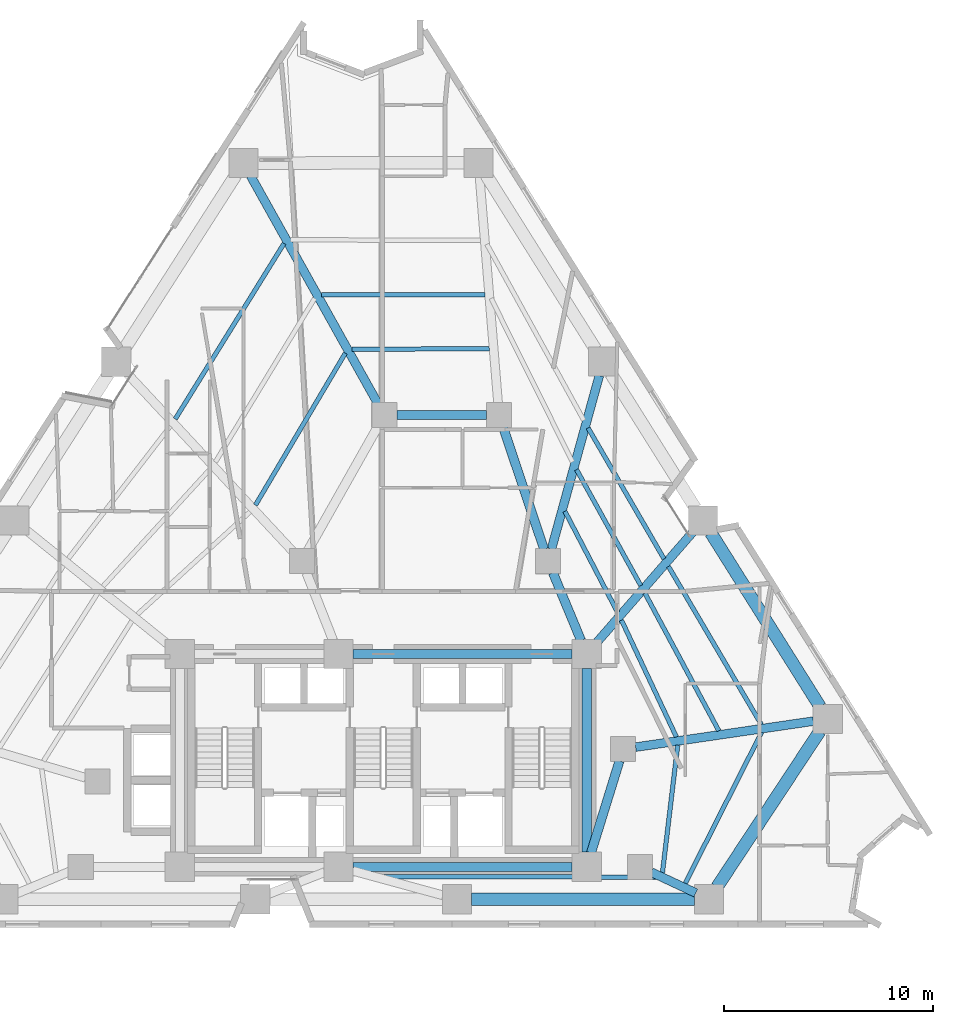
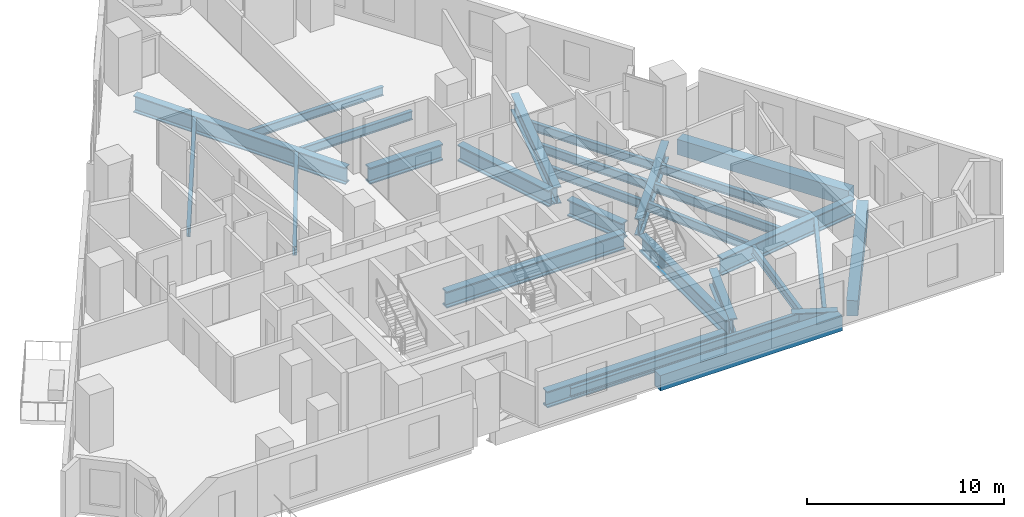
# One storey, part 3 of 14: 28 beams.
"""IFC4 building model written with IfcOpenShell, lengths in metres."""

from ifc_helpers import new_model, si_unit, direction, frame, origin, origin_2d, place, context, subcontext, project, spatial, rectangle, i_section, extrude, material, material_profile, profile_set, type_object, element, save


model = new_model("IFC4")

# Units and contexts
model_context = context("Model", 3, precision=1e-05, world=origin(), true_north=direction((0.0, 1.0)))
body_context = subcontext(model_context, "Body", "Model", "MODEL_VIEW")
ifc_project = project(units=[si_unit("LENGTHUNIT", "METRE"), si_unit("AREAUNIT", "SQUARE_METRE"), si_unit("VOLUMEUNIT", "CUBIC_METRE"), si_unit("PLANEANGLEUNIT", "RADIAN"), si_unit("MASSUNIT", "GRAM", prefix="KILO")], contexts=[model_context])

# Site, building, storey
site_placement = place(None, origin())
site = spatial("IfcSite", under=ifc_project, at=site_placement, CompositionType="ELEMENT")
building_placement = place(site_placement, origin())
building = spatial("IfcBuilding", under=site, at=building_placement, Name="Almagre Mirador Tower", CompositionType="ELEMENT")
storey_placement = place(building_placement, frame((0.0, 0.0, 67.800048828125)))
storey = spatial("IfcBuildingStorey", under=building, at=storey_placement, Name="L16", CompositionType="ELEMENT", Elevation=67.800048828125)

# Beams
ifc_material_1 = material(Name="Steel ASTM A992 Grade 50", Category="steel")
ifc_material_profile_1 = material_profile(ifc_material_1, i_section(OverallWidth=0.214111328125, OverallDepth=0.549072265625, WebThickness=0.0146484375, FlangeThickness=0.023681640625, FilletRadius=0.01806640625, at=origin_2d()), Name="W21X93")
ifc_profile_set_1 = profile_set([ifc_material_profile_1], Name="Steel ASTM A992 Grade 50")
beam_type_1 = type_object("IfcBeamType", Name="BM-JST-W21X93", PredefinedType="JOIST", material=ifc_profile_set_1)
beam_1_placement = place(storey_placement, frame((37.07421875, 4.081787109375, -0.524658203125), z_axis=(0.999998197321, -0.001898776976, 0.0), x_axis=(0.001898776976, 0.999998197321, 0.0)))
element("IfcBeam", 1, at=beam_1_placement, inside=storey, type_object=beam_type_1, Name="L16 secondary floor joist PC03-PC04.3", PredefinedType="JOIST", context=body_context, shape_type="SweptSolid", body=[
    extrude(i_section(OverallWidth=0.214111328125, OverallDepth=0.549072265625, WebThickness=0.0146484375, FlangeThickness=0.023681640625, FilletRadius=0.01806640625, at=origin_2d()), origin(), (0.0, 0.0, 1.0), 13.3720703125),
])
beam_2_placement = place(storey_placement, frame((51.77490234375, 3.763427734375, -0.524658203125), z_axis=(0.45132909199, 0.892357580079, 0.0), x_axis=(-0.892357580079, 0.45132909199, 0.0)))
element("IfcBeam", 2, at=beam_2_placement, inside=storey, type_object=beam_type_1, Name="L16 secondary floor joist PC04-PC05.1", PredefinedType="JOIST", context=body_context, shape_type="SweptSolid", body=[
    extrude(i_section(OverallWidth=0.214111328125, OverallDepth=0.549072265625, WebThickness=0.0146484375, FlangeThickness=0.023681640625, FilletRadius=0.01806640625, at=origin_2d()), origin(), (0.0, 0.0, 1.0), 8.10595703125),
])
beam_3_placement = place(storey_placement, frame((50.6806640625, 4.263916015625, -0.524658203125), z_axis=(0.119026397741, 0.99289109002, 0.0), x_axis=(-0.99289109002, 0.119026397741, 0.0)))
element("IfcBeam", 3, at=beam_3_placement, inside=storey, type_object=beam_type_1, Name="L16 secondary floor joist PC04-PC05.3", PredefinedType="JOIST", context=body_context, shape_type="SweptSolid", body=[
    extrude(i_section(OverallWidth=0.214111328125, OverallDepth=0.549072265625, WebThickness=0.0146484375, FlangeThickness=0.023681640625, FilletRadius=0.01806640625, at=origin_2d()), origin(), (0.0, 0.0, 1.0), 6.157470703125),
])
beam_4_placement = place(storey_placement, frame((55.421875, 11.364501953125, -0.524658203125), z_axis=(-0.506385486281, 0.86230721862, 0.0), x_axis=(-0.86230721862, -0.506385486281, 0.0)))
element("IfcBeam", 4, at=beam_4_placement, inside=storey, type_object=beam_type_1, Name="L16 secondary floor joist PC05-PC06.1", PredefinedType="JOIST", context=body_context, shape_type="SweptSolid", body=[
    extrude(i_section(OverallWidth=0.214111328125, OverallDepth=0.549072265625, WebThickness=0.0146484375, FlangeThickness=0.023681640625, FilletRadius=0.01806640625, at=origin_2d()), origin(), (0.0, 0.0, 1.0), 8.79443359375),
])
beam_5_placement = place(storey_placement, frame((53.384033203125, 11.0693359375, -0.524658203125), z_axis=(-0.473167442946, 0.880972514291, 0.0), x_axis=(-0.880972514291, -0.473167442946, 0.0)))
element("IfcBeam", 5, at=beam_5_placement, inside=storey, type_object=beam_type_1, Name="L16 secondary floor joist PC05-PC06.2", PredefinedType="JOIST", context=body_context, shape_type="SweptSolid", body=[
    extrude(i_section(OverallWidth=0.214111328125, OverallDepth=0.549072265625, WebThickness=0.0146484375, FlangeThickness=0.023681640625, FilletRadius=0.01806640625, at=origin_2d()), origin(), (0.0, 0.0, 1.0), 7.481689453125),
])
beam_6_placement = place(storey_placement, frame((51.34912109375, 10.775390625, -0.524658203125), z_axis=(-0.425658253991, 0.904883998538, 0.0), x_axis=(-0.904883998538, -0.425658253991, 0.0)))
element("IfcBeam", 6, at=beam_6_placement, inside=storey, type_object=beam_type_1, Name="L16 secondary floor joist PC05-PC06.3", PredefinedType="JOIST", context=body_context, shape_type="SweptSolid", body=[
    extrude(i_section(OverallWidth=0.214111328125, OverallDepth=0.549072265625, WebThickness=0.0146484375, FlangeThickness=0.023681640625, FilletRadius=0.01806640625, at=origin_2d()), origin(), (0.0, 0.0, 1.0), 6.184814453125),
])
beam_7_placement = place(storey_placement, frame((50.75732421875, 19.309814453125, -0.524658203125), z_axis=(-0.501684848086, 0.865050468586, 0.0), x_axis=(-0.865050468586, -0.501684848086, 0.0)))
element("IfcBeam", 7, at=beam_7_placement, inside=storey, type_object=beam_type_1, Name="L16 secondary floor joist PC06-PC07.1", PredefinedType="JOIST", context=body_context, shape_type="SweptSolid", body=[
    extrude(i_section(OverallWidth=0.214111328125, OverallDepth=0.549072265625, WebThickness=0.0146484375, FlangeThickness=0.023681640625, FilletRadius=0.01806640625, at=origin_2d()), origin(), (0.0, 0.0, 1.0), 7.25439453125),
])
beam_8_placement = place(storey_placement, frame((49.643310546875, 18.0283203125, -0.524658203125), z_axis=(-0.484660833116, 0.87470216465, 0.0), x_axis=(-0.87470216465, -0.484660833116, 0.0)))
element("IfcBeam", 8, at=beam_8_placement, inside=storey, type_object=beam_type_1, Name="L16 secondary floor joist PC06-PC07.2", PredefinedType="JOIST", context=body_context, shape_type="SweptSolid", body=[
    extrude(i_section(OverallWidth=0.214111328125, OverallDepth=0.549072265625, WebThickness=0.0146484375, FlangeThickness=0.023681640625, FilletRadius=0.01806640625, at=origin_2d()), origin(), (0.0, 0.0, 1.0), 6.355224609375),
])
beam_9_placement = place(storey_placement, frame((48.530517578125, 16.747314453125, -0.524658203125), z_axis=(-0.462141076128, 0.88680641955, 0.0), x_axis=(-0.88680641955, -0.462141076128, 0.0)))
element("IfcBeam", 9, at=beam_9_placement, inside=storey, type_object=beam_type_1, Name="L16 secondary floor joist PC06-PC07.3", PredefinedType="JOIST", context=body_context, shape_type="SweptSolid", body=[
    extrude(i_section(OverallWidth=0.214111328125, OverallDepth=0.549072265625, WebThickness=0.0146484375, FlangeThickness=0.023681640625, FilletRadius=0.01806640625, at=origin_2d()), origin(), (0.0, 0.0, 1.0), 5.459228515625),
])
beam_10_placement = place(storey_placement, frame((42.168212890625, 31.979248046875, -0.524658203125), z_axis=(-0.999999987869, -0.000155763238, 0.0), x_axis=(0.000155763238, -0.999999987869, 0.0)))
element("IfcBeam", 10, at=beam_10_placement, inside=storey, type_object=beam_type_1, Name="L16 secondary floor joist PC08-PC09.2", PredefinedType="JOIST", context=body_context, shape_type="SweptSolid", body=[
    extrude(i_section(OverallWidth=0.214111328125, OverallDepth=0.549072265625, WebThickness=0.0146484375, FlangeThickness=0.023681640625, FilletRadius=0.01806640625, at=origin_2d()), origin(), (0.0, 0.0, 1.0), 7.8369140625),
])
beam_11_placement = place(storey_placement, frame((42.3798828125, 29.387451171875, -0.524658203125), z_axis=(-0.999985531686, -0.0053792581, 0.0), x_axis=(0.0053792581, -0.999985531686, 0.0)))
element("IfcBeam", 11, at=beam_11_placement, inside=storey, type_object=beam_type_1, Name="L16 secondary floor joist PC08-PC09.3", PredefinedType="JOIST", context=body_context, shape_type="SweptSolid", body=[
    extrude(i_section(OverallWidth=0.214111328125, OverallDepth=0.549072265625, WebThickness=0.0146484375, FlangeThickness=0.023681640625, FilletRadius=0.01806640625, at=origin_2d()), origin(), (0.0, 0.0, 1.0), 6.580810546875),
])
beam_12_placement = place(storey_placement, frame((32.54345703125, 34.427001953125, -0.524658203125), z_axis=(-0.526750382105, -0.850020020324, 0.0), x_axis=(0.850020020324, -0.526750382105, 0.0)))
element("IfcBeam", 12, at=beam_12_placement, inside=storey, type_object=beam_type_1, Name="L16 secondary floor joist PC09-PC10.1", PredefinedType="JOIST", context=body_context, shape_type="SweptSolid", body=[
    extrude(i_section(OverallWidth=0.214111328125, OverallDepth=0.549072265625, WebThickness=0.0146484375, FlangeThickness=0.023681640625, FilletRadius=0.01806640625, at=origin_2d()), origin(), (0.0, 0.0, 1.0), 9.89501953125),
])
beam_13_placement = place(storey_placement, frame((35.48291015625, 29.17041015625, -0.524658203125), z_axis=(-0.509081080746, -0.860718567957, 0.0), x_axis=(0.860718567957, -0.509081080746, 0.0)))
element("IfcBeam", 13, at=beam_13_placement, inside=storey, type_object=beam_type_1, Name="L16 secondary floor joist PC09-PC10.3", PredefinedType="JOIST", context=body_context, shape_type="SweptSolid", body=[
    extrude(i_section(OverallWidth=0.214111328125, OverallDepth=0.549072265625, WebThickness=0.0146484375, FlangeThickness=0.023681640625, FilletRadius=0.01806640625, at=origin_2d()), origin(), (0.0, 0.0, 1.0), 8.46337890625),
])
ifc_material_2 = material(Name="Precast concrete C50/60", Category="concrete")
ifc_material_profile_2 = material_profile(ifc_material_2, rectangle(XDim=0.60009765625, YDim=0.949951171875, at=origin_2d()), Name="RC600X950")
ifc_profile_set_2 = profile_set([ifc_material_profile_2], Name="Precast concrete C50/60")
beam_type_2 = type_object("IfcBeamType", Name="BM-SPN-RC600X950", PredefinedType="SPANDREL", material=ifc_profile_set_2)
beam_14_placement = place(storey_placement, frame((41.531982421875, 3.0, -0.72509765625), z_axis=(1.0, 0.0, 0.0), x_axis=(0.0, 1.0, 0.0)))
element("IfcBeam", 14, at=beam_14_placement, inside=storey, type_object=beam_type_2, Name="L16 perimeter spandrel beam PC03-PC04", PredefinedType="SPANDREL", context=body_context, shape_type="SweptSolid", body=[
    extrude(rectangle(XDim=0.60009765625, YDim=0.949951171875, at=origin_2d()), origin(), (0.0, 0.0, 1.0), 10.679931640625),
])
beam_15_placement = place(storey_placement, frame((53.29736328125, 3.58447265625, -0.72509765625), z_axis=(0.550560338686, 0.834795372211, 0.0), x_axis=(-0.834795372211, 0.550560338686, 0.0)))
element("IfcBeam", 15, at=beam_15_placement, inside=storey, type_object=beam_type_2, Name="L16 perimeter spandrel beam PC04-PC05", PredefinedType="SPANDREL", context=body_context, shape_type="SweptSolid", body=[
    extrude(rectangle(XDim=0.60009765625, YDim=0.949951171875, at=origin_2d()), origin(), (0.0, 0.0, 1.0), 8.9423828125),
])
beam_16_placement = place(storey_placement, frame((58.233642578125, 12.226806640625, -0.72509765625), z_axis=(-0.531919552243, 0.846794892487, 0.0), x_axis=(-0.846794892487, -0.531919552243, 0.0)))
element("IfcBeam", 16, at=beam_16_placement, inside=storey, type_object=beam_type_2, Name="L16 perimeter spandrel beam PC05-PC06", PredefinedType="SPANDREL", context=body_context, shape_type="SweptSolid", body=[
    extrude(rectangle(XDim=0.60009765625, YDim=0.949951171875, at=origin_2d()), origin(), (0.0, 0.0, 1.0), 9.84228515625),
])
ifc_material_3 = material(Name="Steel ASTM A992 Grade 50", Category="steel")
ifc_material_profile_3 = material_profile(ifc_material_3, i_section(OverallWidth=0.43701171875, OverallDepth=1.010986328125, WebThickness=0.041015625, FlangeThickness=0.073974609375, FilletRadius=0.028076171875, at=origin_2d()), Name="W36X529")
ifc_profile_set_3 = profile_set([ifc_material_profile_3], Name="Steel ASTM A992 Grade 50")
beam_type_3 = type_object("IfcBeamType", Name="BM-STL-W36X529", PredefinedType="BEAM", material=ifc_profile_set_3)
beam_17_placement = place(storey_placement, frame((37.949951171875, 26.199951171875, -0.755615234375), z_axis=(1.0, 0.0, 0.0), x_axis=(0.0, 1.0, 0.0)))
element("IfcBeam", 17, at=beam_17_placement, inside=storey, type_object=beam_type_3, Name="L16 core tie girder MC7-MC6", PredefinedType="BEAM", context=body_context, shape_type="SweptSolid", body=[
    extrude(i_section(OverallWidth=0.43701171875, OverallDepth=1.010986328125, WebThickness=0.041015625, FlangeThickness=0.073974609375, FilletRadius=0.028076171875, at=origin_2d()), origin(), (0.0, 0.0, 1.0), 4.300048828125),
])
for number, where, z_axis, x_axis, name in (
    (18, (35.85009765625, 4.550048828125, -0.755615234375), (1.0, 0.0, 0.0), (0.0, 1.0, 0.0), "L16 core tie girder CC2-CC3"),
    (19, (35.85009765625, 14.75, -0.755615234375), (1.0, 0.0, 0.0), (0.0, 1.0, 0.0), "L16 core tie girder CC5-CC6"),
):
    element("IfcBeam", number, at=place(storey_placement, frame(where, z_axis=z_axis, x_axis=x_axis)), inside=storey, type_object=beam_type_3, Name=name, PredefinedType="BEAM", context=body_context, shape_type="SweptSolid", body=[
        extrude(i_section(OverallWidth=0.43701171875, OverallDepth=1.010986328125, WebThickness=0.041015625, FlangeThickness=0.073974609375, FilletRadius=0.028076171875, at=origin_2d()), origin(), (0.0, 0.0, 1.0), 10.5),
    ])
beam_18_placement = place(storey_placement, frame((47.050048828125, 5.25, -0.755615234375), z_axis=(0.0, 1.0, 0.0), x_axis=(-1.0, 0.0, 0.0)))
element("IfcBeam", 20, at=beam_18_placement, inside=storey, type_object=beam_type_3, Name="L16 core tie girder CC3-CC6", PredefinedType="BEAM", context=body_context, shape_type="SweptSolid", body=[
    extrude(i_section(OverallWidth=0.43701171875, OverallDepth=1.010986328125, WebThickness=0.041015625, FlangeThickness=0.073974609375, FilletRadius=0.028076171875, at=origin_2d()), origin(), (0.0, 0.0, 1.0), 8.800048828125),
])
beam_19_placement = place(storey_placement, frame((48.62255859375, 9.626953125, -0.755615234375), z_axis=(-0.295888328273, -0.955222538046, 0.0), x_axis=(0.955222538046, -0.295888328273, 0.0)))
element("IfcBeam", 21, at=beam_19_placement, inside=storey, type_object=beam_type_3, Name="L16 core tie girder MC3-CC3", PredefinedType="BEAM", context=body_context, shape_type="SweptSolid", body=[
    extrude(i_section(OverallWidth=0.43701171875, OverallDepth=1.010986328125, WebThickness=0.041015625, FlangeThickness=0.073974609375, FilletRadius=0.028076171875, at=origin_2d()), origin(), (0.0, 0.0, 1.0), 4.61474609375),
])
beam_20_placement = place(storey_placement, frame((45.430419921875, 18.64599609375, -0.755615234375), z_axis=(0.383856635851, -0.923392702545, 0.0), x_axis=(0.923392702545, 0.383856635851, 0.0)))
element("IfcBeam", 22, at=beam_20_placement, inside=storey, type_object=beam_type_3, Name="L16 core tie girder MC5-CC6", PredefinedType="BEAM", context=body_context, shape_type="SweptSolid", body=[
    extrude(i_section(OverallWidth=0.43701171875, OverallDepth=1.010986328125, WebThickness=0.041015625, FlangeThickness=0.073974609375, FilletRadius=0.028076171875, at=origin_2d()), origin(), (0.0, 0.0, 1.0), 3.51904296875),
])
beam_21_placement = place(storey_placement, frame((43.041015625, 25.631103515625, -0.755615234375), z_axis=(0.318252395552, -0.948006019351, 0.0), x_axis=(0.948006019351, 0.318252395552, 0.0)))
element("IfcBeam", 23, at=beam_21_placement, inside=storey, type_object=beam_type_3, Name="L16 core tie girder MC6-MC5", PredefinedType="BEAM", context=body_context, shape_type="SweptSolid", body=[
    extrude(i_section(OverallWidth=0.43701171875, OverallDepth=1.010986328125, WebThickness=0.041015625, FlangeThickness=0.073974609375, FilletRadius=0.028076171875, at=origin_2d()), origin(), (0.0, 0.0, 1.0), 6.183837890625),
])
ifc_material_4 = material(Name="Steel ASTM A913 Grade 65", Category="steel")
ifc_material_profile_4 = material_profile(ifc_material_4, i_section(OverallWidth=0.4189453125, OverallDepth=1.041015625, WebThickness=0.031005859375, FlangeThickness=0.055908203125, FilletRadius=0.030029296875, at=origin_2d()), Name="W40X397")
ifc_profile_set_4 = profile_set([ifc_material_profile_4], Name="Steel ASTM A913 Grade 65")
beam_type_4 = type_object("IfcBeamType", Name="BM-STL-W40X397", PredefinedType="BEAM", material=ifc_profile_set_4)
beam_22_placement = place(storey_placement, frame((52.278076171875, 3.296630859375, -0.7705078125), z_axis=(-0.905727455925, 0.423860561487, 0.0), x_axis=(-0.423860561487, -0.905727455925, 0.0)))
element("IfcBeam", 24, at=beam_22_placement, inside=storey, type_object=beam_type_4, Name="L16 radial floor girder PC04-MC2", PredefinedType="BEAM", context=body_context, shape_type="SweptSolid", body=[
    extrude(i_section(OverallWidth=0.4189453125, OverallDepth=1.041015625, WebThickness=0.031005859375, FlangeThickness=0.055908203125, FilletRadius=0.030029296875, at=origin_2d()), origin(), (0.0, 0.0, 1.0), 2.35693359375),
])
beam_23_placement = place(storey_placement, frame((57.913330078125, 11.53271484375, -0.7705078125), z_axis=(-0.989476218812, -0.144695585299, 0.0), x_axis=(0.144695585299, -0.989476218812, 0.0)))
element("IfcBeam", 25, at=beam_23_placement, inside=storey, type_object=beam_type_4, Name="L16 radial floor girder PC05-MC3", PredefinedType="BEAM", context=body_context, shape_type="SweptSolid", body=[
    extrude(i_section(OverallWidth=0.4189453125, OverallDepth=1.041015625, WebThickness=0.031005859375, FlangeThickness=0.055908203125, FilletRadius=0.030029296875, at=origin_2d()), origin(), (0.0, 0.0, 1.0), 8.610107421875),
])
beam_24_placement = place(storey_placement, frame((52.166259765625, 20.626220703125, -0.7705078125), z_axis=(-0.6566380112, -0.7542058885, 0.0), x_axis=(0.7542058885, -0.6566380112, 0.0)))
element("IfcBeam", 26, at=beam_24_placement, inside=storey, type_object=beam_type_4, Name="L16 radial floor girder PC06-CC6", PredefinedType="BEAM", context=body_context, shape_type="SweptSolid", body=[
    extrude(i_section(OverallWidth=0.4189453125, OverallDepth=1.041015625, WebThickness=0.031005859375, FlangeThickness=0.055908203125, FilletRadius=0.030029296875, at=origin_2d()), origin(), (0.0, 0.0, 1.0), 7.09130859375),
])
beam_25_placement = place(storey_placement, frame((47.65576171875, 28.09521484375, -0.7705078125), z_axis=(-0.266125752787, -0.96393831945, 0.0), x_axis=(0.96393831945, -0.266125752787, 0.0)))
element("IfcBeam", 27, at=beam_25_placement, inside=storey, type_object=beam_type_4, Name="L16 radial floor girder PC07-MC5", PredefinedType="BEAM", context=body_context, shape_type="SweptSolid", body=[
    extrude(i_section(OverallWidth=0.4189453125, OverallDepth=1.041015625, WebThickness=0.031005859375, FlangeThickness=0.055908203125, FilletRadius=0.030029296875, at=origin_2d()), origin(), (0.0, 0.0, 1.0), 8.6279296875),
])
beam_26_placement = place(storey_placement, frame((30.94140625, 37.669921875, -0.7705078125), z_axis=(0.487764189082, -0.87297542683, 0.0), x_axis=(0.87297542683, 0.487764189082, 0.0)))
element("IfcBeam", 28, at=beam_26_placement, inside=storey, type_object=beam_type_4, Name="L16 radial floor girder PC09-MC7", PredefinedType="BEAM", context=body_context, shape_type="SweptSolid", body=[
    extrude(i_section(OverallWidth=0.4189453125, OverallDepth=1.041015625, WebThickness=0.031005859375, FlangeThickness=0.055908203125, FilletRadius=0.030029296875, at=origin_2d()), origin(), (0.0, 0.0, 1.0), 12.538818359375),
])

save(model, "model.ifc")
